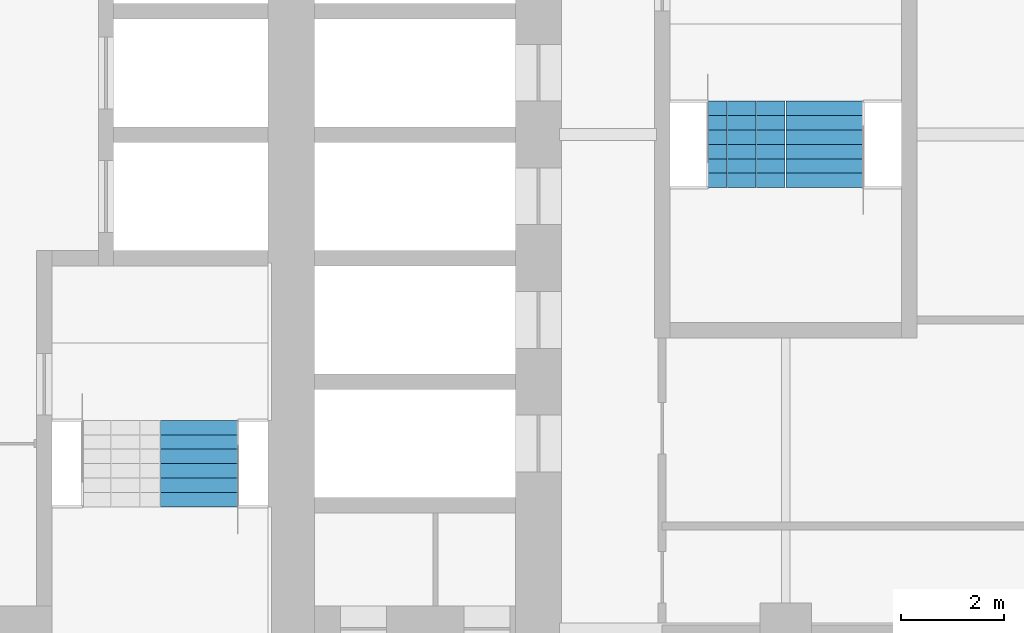
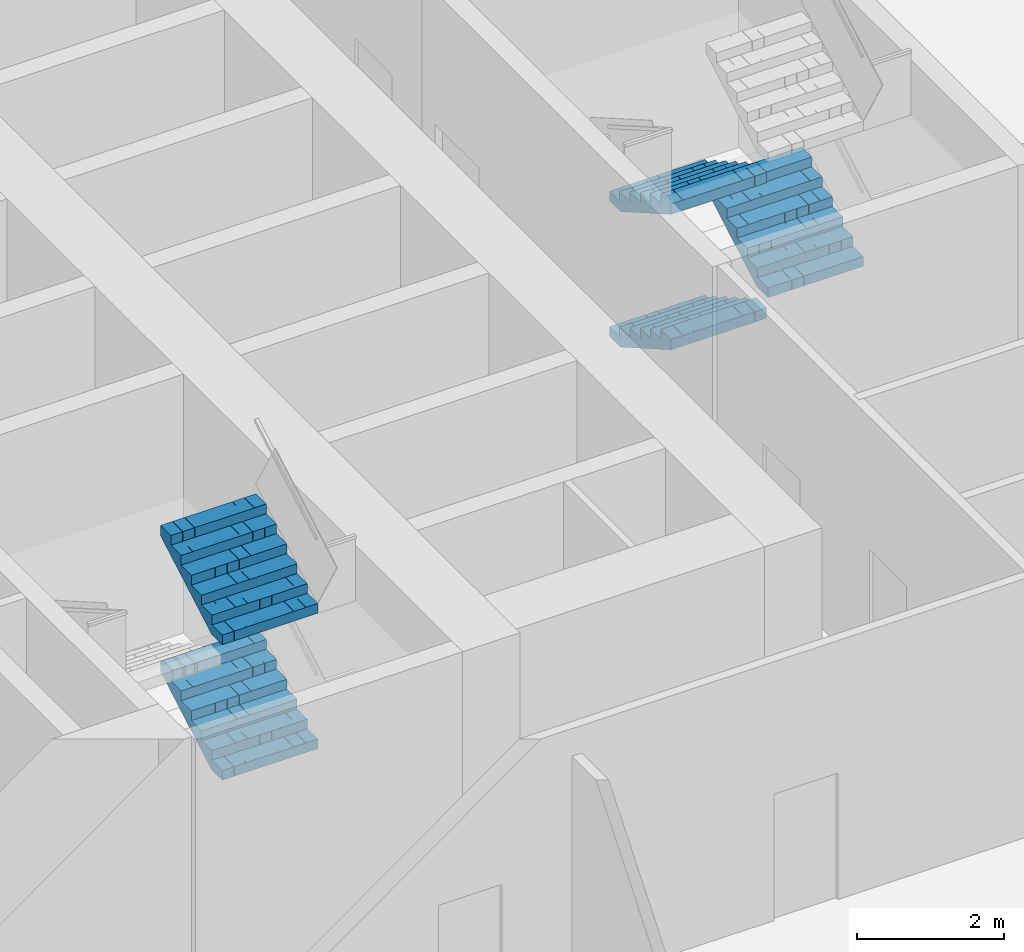
# One storey, part 19 of 22: 5 stair flights, 2 elements without a shape of their own.
"""IFC4 building model written with IfcOpenShell, lengths in metres."""

from ifc_helpers import new_model, si_unit, direction, frame, origin, place, context, subcontext, project, spatial, polyline, outline, extrude, material, type_object, element, aggregate, save


model = new_model("IFC4")

# Units and contexts
model_context = context("Model", 3, precision=1e-05, world=origin(), true_north=direction((0.0, 1.0)))
body_context = subcontext(model_context, "Body", "Model", "MODEL_VIEW")
ifc_project = project(units=[si_unit("LENGTHUNIT", "METRE"), si_unit("AREAUNIT", "SQUARE_METRE"), si_unit("VOLUMEUNIT", "CUBIC_METRE"), si_unit("PLANEANGLEUNIT", "RADIAN"), si_unit("MASSUNIT", "GRAM", prefix="KILO")], contexts=[model_context])

# Site, building, storey
site_placement = place(None, origin())
site = spatial("IfcSite", under=ifc_project, at=site_placement, CompositionType="ELEMENT")
building_placement = place(site_placement, origin())
building = spatial("IfcBuilding", under=site, at=building_placement, Name="Kolab Exchange Tower", CompositionType="ELEMENT")
storey_placement = place(building_placement, frame((0.0, 0.0, 113.89990234375)))
storey = spatial("IfcBuildingStorey", under=building, at=storey_placement, Name="L22", CompositionType="ELEMENT", Elevation=113.89990234375)

# Stair, stair flights
ifc_material = material(Name="Concrete C50/60", Category="concrete")
stair_type_1 = type_object("IfcStairType", Name="STAIR ST2 RISER 160.7", PredefinedType="DOUBLE_RETURN_STAIR", material=ifc_material)
stair_1_placement = place(storey_placement, origin())
stair_1 = element("IfcStair", 1, at=stair_1_placement, inside=storey, type_object=stair_type_1, Name="Stair 2", PredefinedType="DOUBLE_RETURN_STAIR")
stair_flight_type = type_object("IfcStairFlightType", Name="STAIR FLIGHT 1500 RISER 160.7", PredefinedType="STRAIGHT", material=ifc_material)
stair_flight_1_placement = place(storey_placement, frame((7.81005859375, -7.22998046875, 1.125), z_axis=(0.0, 0.0, 1.0), x_axis=(0.0, 1.0, 0.0)))
stair_flight_1 = element("IfcStairFlight", 2, at=stair_flight_1_placement, type_object=stair_flight_type, Name="ST2 flight 2", NumberOfRisers=7, NumberOfTreads=6, PredefinedType="STRAIGHT", RiserHeight=0.160714286, TreadLength=0.28, context=body_context, shape_type="SweptSolid", body=[
    extrude(outline(polyline([(0.0, 0.0), (0.0, 0.16064453125), (0.280029296875, 0.16064453125), (0.280029296875, 0.321533203125), (0.56005859375, 0.321533203125), (0.56005859375, 0.482177734375), (0.840087890625, 0.482177734375), (0.840087890625, 0.642822265625), (1.1201171875, 0.642822265625), (1.1201171875, 0.803466796875), (1.39990234375, 0.803466796875), (1.39990234375, 0.96435546875), (1.679931640625, 0.96435546875), (1.679931640625, 1.125), (1.679931640625, 0.79150390625), (0.301025390625, 0.0), (0.0, 0.0)])), frame((0.0, 0.75, 0.0), z_axis=(0.0, -1.0, 0.0), x_axis=(1.0, 0.0, 0.0)), (0.0, 0.0, 1.0), 0.185791015625),
    extrude(outline(polyline([(0.0, 0.0), (0.0, 0.16064453125), (0.280029296875, 0.16064453125), (0.280029296875, 0.321533203125), (0.56005859375, 0.321533203125), (0.56005859375, 0.482177734375), (0.840087890625, 0.482177734375), (0.840087890625, 0.642822265625), (1.1201171875, 0.642822265625), (1.1201171875, 0.803466796875), (1.39990234375, 0.803466796875), (1.39990234375, 0.96435546875), (1.679931640625, 0.96435546875), (1.679931640625, 1.125), (1.679931640625, 0.79150390625), (0.301025390625, 0.0), (0.0, 0.0)])), frame((0.0, 0.562255859375, 0.0), z_axis=(0.0, -1.0, 0.0), x_axis=(1.0, 0.0, 0.0)), (0.0, 0.0, 1.0), 0.185791015625),
    extrude(outline(polyline([(0.0, 0.0), (0.0, 0.16064453125), (0.280029296875, 0.16064453125), (0.280029296875, 0.321533203125), (0.56005859375, 0.321533203125), (0.56005859375, 0.482177734375), (0.840087890625, 0.482177734375), (0.840087890625, 0.642822265625), (1.1201171875, 0.642822265625), (1.1201171875, 0.803466796875), (1.39990234375, 0.803466796875), (1.39990234375, 0.96435546875), (1.679931640625, 0.96435546875), (1.679931640625, 1.125), (1.679931640625, 0.79150390625), (0.301025390625, 0.0), (0.0, 0.0)])), frame((0.0, 0.37451171875, 0.0), z_axis=(0.0, -1.0, 0.0), x_axis=(1.0, 0.0, 0.0)), (0.0, 0.0, 1.0), 0.185791015625),
    extrude(outline(polyline([(0.0, 0.0), (0.0, 0.16064453125), (0.280029296875, 0.16064453125), (0.280029296875, 0.321533203125), (0.56005859375, 0.321533203125), (0.56005859375, 0.482177734375), (0.840087890625, 0.482177734375), (0.840087890625, 0.642822265625), (1.1201171875, 0.642822265625), (1.1201171875, 0.803466796875), (1.39990234375, 0.803466796875), (1.39990234375, 0.96435546875), (1.679931640625, 0.96435546875), (1.679931640625, 1.125), (1.679931640625, 0.79150390625), (0.301025390625, 0.0), (0.0, 0.0)])), frame((0.0, 0.186767578125, 0.0), z_axis=(0.0, -1.0, 0.0), x_axis=(1.0, 0.0, 0.0)), (0.0, 0.0, 1.0), 0.185791015625),
    extrude(outline(polyline([(0.0, 0.0), (0.0, 0.16064453125), (0.280029296875, 0.16064453125), (0.280029296875, 0.321533203125), (0.56005859375, 0.321533203125), (0.56005859375, 0.482177734375), (0.840087890625, 0.482177734375), (0.840087890625, 0.642822265625), (1.1201171875, 0.642822265625), (1.1201171875, 0.803466796875), (1.39990234375, 0.803466796875), (1.39990234375, 0.96435546875), (1.679931640625, 0.96435546875), (1.679931640625, 1.125), (1.679931640625, 0.79150390625), (0.301025390625, 0.0), (0.0, 0.0)])), frame((0.0, -0.0009765625, 0.0), z_axis=(0.0, -1.0, 0.0), x_axis=(1.0, 0.0, 0.0)), (0.0, 0.0, 1.0), 0.185791015625),
    extrude(outline(polyline([(0.0, 0.0), (0.0, 0.16064453125), (0.280029296875, 0.16064453125), (0.280029296875, 0.321533203125), (0.56005859375, 0.321533203125), (0.56005859375, 0.482177734375), (0.840087890625, 0.482177734375), (0.840087890625, 0.642822265625), (1.1201171875, 0.642822265625), (1.1201171875, 0.803466796875), (1.39990234375, 0.803466796875), (1.39990234375, 0.96435546875), (1.679931640625, 0.96435546875), (1.679931640625, 1.125), (1.679931640625, 0.79150390625), (0.301025390625, 0.0), (0.0, 0.0)])), frame((0.0, -0.188720703125, 0.0), z_axis=(0.0, -1.0, 0.0), x_axis=(1.0, 0.0, 0.0)), (0.0, 0.0, 1.0), 0.185791015625),
    extrude(outline(polyline([(0.0, 0.0), (0.0, 0.16064453125), (0.280029296875, 0.16064453125), (0.280029296875, 0.321533203125), (0.56005859375, 0.321533203125), (0.56005859375, 0.482177734375), (0.840087890625, 0.482177734375), (0.840087890625, 0.642822265625), (1.1201171875, 0.642822265625), (1.1201171875, 0.803466796875), (1.39990234375, 0.803466796875), (1.39990234375, 0.96435546875), (1.679931640625, 0.96435546875), (1.679931640625, 1.125), (1.679931640625, 0.79150390625), (0.301025390625, 0.0), (0.0, 0.0)])), frame((0.0, -0.37646484375, 0.0), z_axis=(0.0, -1.0, 0.0), x_axis=(1.0, 0.0, 0.0)), (0.0, 0.0, 1.0), 0.185791015625),
    extrude(outline(polyline([(0.0, 0.0), (0.0, 0.16064453125), (0.280029296875, 0.16064453125), (0.280029296875, 0.321533203125), (0.56005859375, 0.321533203125), (0.56005859375, 0.482177734375), (0.840087890625, 0.482177734375), (0.840087890625, 0.642822265625), (1.1201171875, 0.642822265625), (1.1201171875, 0.803466796875), (1.39990234375, 0.803466796875), (1.39990234375, 0.96435546875), (1.679931640625, 0.96435546875), (1.679931640625, 1.125), (1.679931640625, 0.79150390625), (0.301025390625, 0.0), (0.0, 0.0)])), frame((0.0, -0.564208984375, 0.0), z_axis=(0.0, -1.0, 0.0), x_axis=(1.0, 0.0, 0.0)), (0.0, 0.0, 1.0), 0.185791015625),
])
stair_flight_2_placement = place(storey_placement, frame((7.81005859375, -7.22998046875, 3.375), z_axis=(0.0, 0.0, 1.0), x_axis=(0.0, 1.0, 0.0)))
stair_flight_2 = element("IfcStairFlight", 3, at=stair_flight_2_placement, type_object=stair_flight_type, Name="ST2 flight 4", NumberOfRisers=7, NumberOfTreads=6, PredefinedType="STRAIGHT", RiserHeight=0.160714286, TreadLength=0.28, context=body_context, shape_type="SweptSolid", body=[
    extrude(outline(polyline([(0.0, 0.0), (0.0, 0.16064453125), (0.280029296875, 0.16064453125), (0.280029296875, 0.321533203125), (0.56005859375, 0.321533203125), (0.56005859375, 0.482177734375), (0.840087890625, 0.482177734375), (0.840087890625, 0.642822265625), (1.1201171875, 0.642822265625), (1.1201171875, 0.803466796875), (1.39990234375, 0.803466796875), (1.39990234375, 0.96435546875), (1.679931640625, 0.96435546875), (1.679931640625, 1.125), (1.679931640625, 0.79150390625), (0.301025390625, 0.0), (0.0, 0.0)])), frame((0.0, 0.75, 0.0), z_axis=(0.0, -1.0, 0.0), x_axis=(1.0, 0.0, 0.0)), (0.0, 0.0, 1.0), 0.185791015625),
    extrude(outline(polyline([(0.0, 0.0), (0.0, 0.16064453125), (0.280029296875, 0.16064453125), (0.280029296875, 0.321533203125), (0.56005859375, 0.321533203125), (0.56005859375, 0.482177734375), (0.840087890625, 0.482177734375), (0.840087890625, 0.642822265625), (1.1201171875, 0.642822265625), (1.1201171875, 0.803466796875), (1.39990234375, 0.803466796875), (1.39990234375, 0.96435546875), (1.679931640625, 0.96435546875), (1.679931640625, 1.125), (1.679931640625, 0.79150390625), (0.301025390625, 0.0), (0.0, 0.0)])), frame((0.0, 0.562255859375, 0.0), z_axis=(0.0, -1.0, 0.0), x_axis=(1.0, 0.0, 0.0)), (0.0, 0.0, 1.0), 0.185791015625),
    extrude(outline(polyline([(0.0, 0.0), (0.0, 0.16064453125), (0.280029296875, 0.16064453125), (0.280029296875, 0.321533203125), (0.56005859375, 0.321533203125), (0.56005859375, 0.482177734375), (0.840087890625, 0.482177734375), (0.840087890625, 0.642822265625), (1.1201171875, 0.642822265625), (1.1201171875, 0.803466796875), (1.39990234375, 0.803466796875), (1.39990234375, 0.96435546875), (1.679931640625, 0.96435546875), (1.679931640625, 1.125), (1.679931640625, 0.79150390625), (0.301025390625, 0.0), (0.0, 0.0)])), frame((0.0, 0.37451171875, 0.0), z_axis=(0.0, -1.0, 0.0), x_axis=(1.0, 0.0, 0.0)), (0.0, 0.0, 1.0), 0.185791015625),
    extrude(outline(polyline([(0.0, 0.0), (0.0, 0.16064453125), (0.280029296875, 0.16064453125), (0.280029296875, 0.321533203125), (0.56005859375, 0.321533203125), (0.56005859375, 0.482177734375), (0.840087890625, 0.482177734375), (0.840087890625, 0.642822265625), (1.1201171875, 0.642822265625), (1.1201171875, 0.803466796875), (1.39990234375, 0.803466796875), (1.39990234375, 0.96435546875), (1.679931640625, 0.96435546875), (1.679931640625, 1.125), (1.679931640625, 0.79150390625), (0.301025390625, 0.0), (0.0, 0.0)])), frame((0.0, 0.186767578125, 0.0), z_axis=(0.0, -1.0, 0.0), x_axis=(1.0, 0.0, 0.0)), (0.0, 0.0, 1.0), 0.185791015625),
    extrude(outline(polyline([(0.0, 0.0), (0.0, 0.16064453125), (0.280029296875, 0.16064453125), (0.280029296875, 0.321533203125), (0.56005859375, 0.321533203125), (0.56005859375, 0.482177734375), (0.840087890625, 0.482177734375), (0.840087890625, 0.642822265625), (1.1201171875, 0.642822265625), (1.1201171875, 0.803466796875), (1.39990234375, 0.803466796875), (1.39990234375, 0.96435546875), (1.679931640625, 0.96435546875), (1.679931640625, 1.125), (1.679931640625, 0.79150390625), (0.301025390625, 0.0), (0.0, 0.0)])), frame((0.0, -0.0009765625, 0.0), z_axis=(0.0, -1.0, 0.0), x_axis=(1.0, 0.0, 0.0)), (0.0, 0.0, 1.0), 0.185791015625),
    extrude(outline(polyline([(0.0, 0.0), (0.0, 0.16064453125), (0.280029296875, 0.16064453125), (0.280029296875, 0.321533203125), (0.56005859375, 0.321533203125), (0.56005859375, 0.482177734375), (0.840087890625, 0.482177734375), (0.840087890625, 0.642822265625), (1.1201171875, 0.642822265625), (1.1201171875, 0.803466796875), (1.39990234375, 0.803466796875), (1.39990234375, 0.96435546875), (1.679931640625, 0.96435546875), (1.679931640625, 1.125), (1.679931640625, 0.79150390625), (0.301025390625, 0.0), (0.0, 0.0)])), frame((0.0, -0.188720703125, 0.0), z_axis=(0.0, -1.0, 0.0), x_axis=(1.0, 0.0, 0.0)), (0.0, 0.0, 1.0), 0.185791015625),
    extrude(outline(polyline([(0.0, 0.0), (0.0, 0.16064453125), (0.280029296875, 0.16064453125), (0.280029296875, 0.321533203125), (0.56005859375, 0.321533203125), (0.56005859375, 0.482177734375), (0.840087890625, 0.482177734375), (0.840087890625, 0.642822265625), (1.1201171875, 0.642822265625), (1.1201171875, 0.803466796875), (1.39990234375, 0.803466796875), (1.39990234375, 0.96435546875), (1.679931640625, 0.96435546875), (1.679931640625, 1.125), (1.679931640625, 0.79150390625), (0.301025390625, 0.0), (0.0, 0.0)])), frame((0.0, -0.37646484375, 0.0), z_axis=(0.0, -1.0, 0.0), x_axis=(1.0, 0.0, 0.0)), (0.0, 0.0, 1.0), 0.185791015625),
    extrude(outline(polyline([(0.0, 0.0), (0.0, 0.16064453125), (0.280029296875, 0.16064453125), (0.280029296875, 0.321533203125), (0.56005859375, 0.321533203125), (0.56005859375, 0.482177734375), (0.840087890625, 0.482177734375), (0.840087890625, 0.642822265625), (1.1201171875, 0.642822265625), (1.1201171875, 0.803466796875), (1.39990234375, 0.803466796875), (1.39990234375, 0.96435546875), (1.679931640625, 0.96435546875), (1.679931640625, 1.125), (1.679931640625, 0.79150390625), (0.301025390625, 0.0), (0.0, 0.0)])), frame((0.0, -0.564208984375, 0.0), z_axis=(0.0, -1.0, 0.0), x_axis=(1.0, 0.0, 0.0)), (0.0, 0.0, 1.0), 0.185791015625),
])
aggregate(stair_1, [stair_flight_1, stair_flight_2])

stair_type_2 = type_object("IfcStairType", Name="STAIR ST4 RISER 160.7", PredefinedType="DOUBLE_RETURN_STAIR", material=ifc_material)
stair_2_placement = place(storey_placement, origin())
stair_2 = element("IfcStair", 4, at=stair_2_placement, inside=storey, type_object=stair_type_2, Name="Stair 4", PredefinedType="DOUBLE_RETURN_STAIR")
stair_flight_3_placement = place(storey_placement, frame((18.43994140625, 0.64990234375, 0.0), z_axis=(0.0, 0.0, 1.0), x_axis=(0.0, -1.0, 0.0)))
stair_flight_3 = element("IfcStairFlight", 5, at=stair_flight_3_placement, type_object=stair_flight_type, Name="ST4 flight 1", NumberOfRisers=7, NumberOfTreads=6, PredefinedType="STRAIGHT", RiserHeight=0.160714286, TreadLength=0.28, context=body_context, shape_type="SweptSolid", body=[
    extrude(outline(polyline([(0.0, 0.0), (0.0, 0.16064453125), (0.280029296875, 0.16064453125), (0.280029296875, 0.321533203125), (0.56005859375, 0.321533203125), (0.56005859375, 0.482177734375), (0.840087890625, 0.482177734375), (0.840087890625, 0.642822265625), (1.1201171875, 0.642822265625), (1.1201171875, 0.803466796875), (1.39990234375, 0.803466796875), (1.39990234375, 0.96435546875), (1.679931640625, 0.96435546875), (1.679931640625, 1.125), (1.679931640625, 0.79150390625), (0.301025390625, 0.0), (0.0, 0.0)])), frame((0.0, 0.75, 0.0), z_axis=(0.0, -1.0, 0.0), x_axis=(1.0, 0.0, 0.0)), (0.0, 0.0, 1.0), 0.185791015625),
    extrude(outline(polyline([(0.0, 0.0), (0.0, 0.16064453125), (0.280029296875, 0.16064453125), (0.280029296875, 0.321533203125), (0.56005859375, 0.321533203125), (0.56005859375, 0.482177734375), (0.840087890625, 0.482177734375), (0.840087890625, 0.642822265625), (1.1201171875, 0.642822265625), (1.1201171875, 0.803466796875), (1.39990234375, 0.803466796875), (1.39990234375, 0.96435546875), (1.679931640625, 0.96435546875), (1.679931640625, 1.125), (1.679931640625, 0.79150390625), (0.301025390625, 0.0), (0.0, 0.0)])), frame((0.0, 0.562255859375, 0.0), z_axis=(0.0, -1.0, 0.0), x_axis=(1.0, 0.0, 0.0)), (0.0, 0.0, 1.0), 0.185791015625),
    extrude(outline(polyline([(0.0, 0.0), (0.0, 0.16064453125), (0.280029296875, 0.16064453125), (0.280029296875, 0.321533203125), (0.56005859375, 0.321533203125), (0.56005859375, 0.482177734375), (0.840087890625, 0.482177734375), (0.840087890625, 0.642822265625), (1.1201171875, 0.642822265625), (1.1201171875, 0.803466796875), (1.39990234375, 0.803466796875), (1.39990234375, 0.96435546875), (1.679931640625, 0.96435546875), (1.679931640625, 1.125), (1.679931640625, 0.79150390625), (0.301025390625, 0.0), (0.0, 0.0)])), frame((0.0, 0.37451171875, 0.0), z_axis=(0.0, -1.0, 0.0), x_axis=(1.0, 0.0, 0.0)), (0.0, 0.0, 1.0), 0.185791015625),
    extrude(outline(polyline([(0.0, 0.0), (0.0, 0.16064453125), (0.280029296875, 0.16064453125), (0.280029296875, 0.321533203125), (0.56005859375, 0.321533203125), (0.56005859375, 0.482177734375), (0.840087890625, 0.482177734375), (0.840087890625, 0.642822265625), (1.1201171875, 0.642822265625), (1.1201171875, 0.803466796875), (1.39990234375, 0.803466796875), (1.39990234375, 0.96435546875), (1.679931640625, 0.96435546875), (1.679931640625, 1.125), (1.679931640625, 0.79150390625), (0.301025390625, 0.0), (0.0, 0.0)])), frame((0.0, 0.186767578125, 0.0), z_axis=(0.0, -1.0, 0.0), x_axis=(1.0, 0.0, 0.0)), (0.0, 0.0, 1.0), 0.185791015625),
    extrude(outline(polyline([(0.0, 0.0), (0.0, 0.16064453125), (0.280029296875, 0.16064453125), (0.280029296875, 0.321533203125), (0.56005859375, 0.321533203125), (0.56005859375, 0.482177734375), (0.840087890625, 0.482177734375), (0.840087890625, 0.642822265625), (1.1201171875, 0.642822265625), (1.1201171875, 0.803466796875), (1.39990234375, 0.803466796875), (1.39990234375, 0.96435546875), (1.679931640625, 0.96435546875), (1.679931640625, 1.125), (1.679931640625, 0.79150390625), (0.301025390625, 0.0), (0.0, 0.0)])), frame((0.0, -0.0009765625, 0.0), z_axis=(0.0, -1.0, 0.0), x_axis=(1.0, 0.0, 0.0)), (0.0, 0.0, 1.0), 0.185791015625),
    extrude(outline(polyline([(0.0, 0.0), (0.0, 0.16064453125), (0.280029296875, 0.16064453125), (0.280029296875, 0.321533203125), (0.56005859375, 0.321533203125), (0.56005859375, 0.482177734375), (0.840087890625, 0.482177734375), (0.840087890625, 0.642822265625), (1.1201171875, 0.642822265625), (1.1201171875, 0.803466796875), (1.39990234375, 0.803466796875), (1.39990234375, 0.96435546875), (1.679931640625, 0.96435546875), (1.679931640625, 1.125), (1.679931640625, 0.79150390625), (0.301025390625, 0.0), (0.0, 0.0)])), frame((0.0, -0.188720703125, 0.0), z_axis=(0.0, -1.0, 0.0), x_axis=(1.0, 0.0, 0.0)), (0.0, 0.0, 1.0), 0.185791015625),
    extrude(outline(polyline([(0.0, 0.0), (0.0, 0.16064453125), (0.280029296875, 0.16064453125), (0.280029296875, 0.321533203125), (0.56005859375, 0.321533203125), (0.56005859375, 0.482177734375), (0.840087890625, 0.482177734375), (0.840087890625, 0.642822265625), (1.1201171875, 0.642822265625), (1.1201171875, 0.803466796875), (1.39990234375, 0.803466796875), (1.39990234375, 0.96435546875), (1.679931640625, 0.96435546875), (1.679931640625, 1.125), (1.679931640625, 0.79150390625), (0.301025390625, 0.0), (0.0, 0.0)])), frame((0.0, -0.37646484375, 0.0), z_axis=(0.0, -1.0, 0.0), x_axis=(1.0, 0.0, 0.0)), (0.0, 0.0, 1.0), 0.185791015625),
    extrude(outline(polyline([(0.0, 0.0), (0.0, 0.16064453125), (0.280029296875, 0.16064453125), (0.280029296875, 0.321533203125), (0.56005859375, 0.321533203125), (0.56005859375, 0.482177734375), (0.840087890625, 0.482177734375), (0.840087890625, 0.642822265625), (1.1201171875, 0.642822265625), (1.1201171875, 0.803466796875), (1.39990234375, 0.803466796875), (1.39990234375, 0.96435546875), (1.679931640625, 0.96435546875), (1.679931640625, 1.125), (1.679931640625, 0.79150390625), (0.301025390625, 0.0), (0.0, 0.0)])), frame((0.0, -0.564208984375, 0.0), z_axis=(0.0, -1.0, 0.0), x_axis=(1.0, 0.0, 0.0)), (0.0, 0.0, 1.0), 0.185791015625),
])
stair_flight_4_placement = place(storey_placement, frame((19.9599609375, -1.030029296875, 1.125), z_axis=(0.0, 0.0, 1.0), x_axis=(0.0, 1.0, 0.0)))
stair_flight_4 = element("IfcStairFlight", 6, at=stair_flight_4_placement, type_object=stair_flight_type, Name="ST4 flight 2", NumberOfRisers=7, NumberOfTreads=6, PredefinedType="STRAIGHT", RiserHeight=0.160714286, TreadLength=0.28, context=body_context, shape_type="SweptSolid", body=[
    extrude(outline(polyline([(0.0, 0.0), (0.0, 0.16064453125), (0.280029296875, 0.16064453125), (0.280029296875, 0.321533203125), (0.56005859375, 0.321533203125), (0.56005859375, 0.482177734375), (0.840087890625, 0.482177734375), (0.840087890625, 0.642822265625), (1.1201171875, 0.642822265625), (1.1201171875, 0.803466796875), (1.39990234375, 0.803466796875), (1.39990234375, 0.96435546875), (1.679931640625, 0.96435546875), (1.679931640625, 1.125), (1.679931640625, 0.79150390625), (0.301025390625, 0.0), (0.0, 0.0)])), frame((0.0, 0.75, 0.0), z_axis=(0.0, -1.0, 0.0), x_axis=(1.0, 0.0, 0.0)), (0.0, 0.0, 1.0), 0.185791015625),
    extrude(outline(polyline([(0.0, 0.0), (0.0, 0.16064453125), (0.280029296875, 0.16064453125), (0.280029296875, 0.321533203125), (0.56005859375, 0.321533203125), (0.56005859375, 0.482177734375), (0.840087890625, 0.482177734375), (0.840087890625, 0.642822265625), (1.1201171875, 0.642822265625), (1.1201171875, 0.803466796875), (1.39990234375, 0.803466796875), (1.39990234375, 0.96435546875), (1.679931640625, 0.96435546875), (1.679931640625, 1.125), (1.679931640625, 0.79150390625), (0.301025390625, 0.0), (0.0, 0.0)])), frame((0.0, 0.562255859375, 0.0), z_axis=(0.0, -1.0, 0.0), x_axis=(1.0, 0.0, 0.0)), (0.0, 0.0, 1.0), 0.185791015625),
    extrude(outline(polyline([(0.0, 0.0), (0.0, 0.16064453125), (0.280029296875, 0.16064453125), (0.280029296875, 0.321533203125), (0.56005859375, 0.321533203125), (0.56005859375, 0.482177734375), (0.840087890625, 0.482177734375), (0.840087890625, 0.642822265625), (1.1201171875, 0.642822265625), (1.1201171875, 0.803466796875), (1.39990234375, 0.803466796875), (1.39990234375, 0.96435546875), (1.679931640625, 0.96435546875), (1.679931640625, 1.125), (1.679931640625, 0.79150390625), (0.301025390625, 0.0), (0.0, 0.0)])), frame((0.0, 0.37451171875, 0.0), z_axis=(0.0, -1.0, 0.0), x_axis=(1.0, 0.0, 0.0)), (0.0, 0.0, 1.0), 0.185791015625),
    extrude(outline(polyline([(0.0, 0.0), (0.0, 0.16064453125), (0.280029296875, 0.16064453125), (0.280029296875, 0.321533203125), (0.56005859375, 0.321533203125), (0.56005859375, 0.482177734375), (0.840087890625, 0.482177734375), (0.840087890625, 0.642822265625), (1.1201171875, 0.642822265625), (1.1201171875, 0.803466796875), (1.39990234375, 0.803466796875), (1.39990234375, 0.96435546875), (1.679931640625, 0.96435546875), (1.679931640625, 1.125), (1.679931640625, 0.79150390625), (0.301025390625, 0.0), (0.0, 0.0)])), frame((0.0, 0.186767578125, 0.0), z_axis=(0.0, -1.0, 0.0), x_axis=(1.0, 0.0, 0.0)), (0.0, 0.0, 1.0), 0.185791015625),
    extrude(outline(polyline([(0.0, 0.0), (0.0, 0.16064453125), (0.280029296875, 0.16064453125), (0.280029296875, 0.321533203125), (0.56005859375, 0.321533203125), (0.56005859375, 0.482177734375), (0.840087890625, 0.482177734375), (0.840087890625, 0.642822265625), (1.1201171875, 0.642822265625), (1.1201171875, 0.803466796875), (1.39990234375, 0.803466796875), (1.39990234375, 0.96435546875), (1.679931640625, 0.96435546875), (1.679931640625, 1.125), (1.679931640625, 0.79150390625), (0.301025390625, 0.0), (0.0, 0.0)])), frame((0.0, -0.0009765625, 0.0), z_axis=(0.0, -1.0, 0.0), x_axis=(1.0, 0.0, 0.0)), (0.0, 0.0, 1.0), 0.185791015625),
    extrude(outline(polyline([(0.0, 0.0), (0.0, 0.16064453125), (0.280029296875, 0.16064453125), (0.280029296875, 0.321533203125), (0.56005859375, 0.321533203125), (0.56005859375, 0.482177734375), (0.840087890625, 0.482177734375), (0.840087890625, 0.642822265625), (1.1201171875, 0.642822265625), (1.1201171875, 0.803466796875), (1.39990234375, 0.803466796875), (1.39990234375, 0.96435546875), (1.679931640625, 0.96435546875), (1.679931640625, 1.125), (1.679931640625, 0.79150390625), (0.301025390625, 0.0), (0.0, 0.0)])), frame((0.0, -0.188720703125, 0.0), z_axis=(0.0, -1.0, 0.0), x_axis=(1.0, 0.0, 0.0)), (0.0, 0.0, 1.0), 0.185791015625),
    extrude(outline(polyline([(0.0, 0.0), (0.0, 0.16064453125), (0.280029296875, 0.16064453125), (0.280029296875, 0.321533203125), (0.56005859375, 0.321533203125), (0.56005859375, 0.482177734375), (0.840087890625, 0.482177734375), (0.840087890625, 0.642822265625), (1.1201171875, 0.642822265625), (1.1201171875, 0.803466796875), (1.39990234375, 0.803466796875), (1.39990234375, 0.96435546875), (1.679931640625, 0.96435546875), (1.679931640625, 1.125), (1.679931640625, 0.79150390625), (0.301025390625, 0.0), (0.0, 0.0)])), frame((0.0, -0.37646484375, 0.0), z_axis=(0.0, -1.0, 0.0), x_axis=(1.0, 0.0, 0.0)), (0.0, 0.0, 1.0), 0.185791015625),
    extrude(outline(polyline([(0.0, 0.0), (0.0, 0.16064453125), (0.280029296875, 0.16064453125), (0.280029296875, 0.321533203125), (0.56005859375, 0.321533203125), (0.56005859375, 0.482177734375), (0.840087890625, 0.482177734375), (0.840087890625, 0.642822265625), (1.1201171875, 0.642822265625), (1.1201171875, 0.803466796875), (1.39990234375, 0.803466796875), (1.39990234375, 0.96435546875), (1.679931640625, 0.96435546875), (1.679931640625, 1.125), (1.679931640625, 0.79150390625), (0.301025390625, 0.0), (0.0, 0.0)])), frame((0.0, -0.564208984375, 0.0), z_axis=(0.0, -1.0, 0.0), x_axis=(1.0, 0.0, 0.0)), (0.0, 0.0, 1.0), 0.185791015625),
])
stair_flight_5_placement = place(storey_placement, frame((18.43994140625, 0.64990234375, 2.25), z_axis=(0.0, 0.0, 1.0), x_axis=(0.0, -1.0, 0.0)))
stair_flight_5 = element("IfcStairFlight", 7, at=stair_flight_5_placement, type_object=stair_flight_type, Name="ST4 flight 3", NumberOfRisers=7, NumberOfTreads=6, PredefinedType="STRAIGHT", RiserHeight=0.160714286, TreadLength=0.28, context=body_context, shape_type="SweptSolid", body=[
    extrude(outline(polyline([(0.0, 0.0), (0.0, 0.16064453125), (0.280029296875, 0.16064453125), (0.280029296875, 0.321533203125), (0.56005859375, 0.321533203125), (0.56005859375, 0.482177734375), (0.840087890625, 0.482177734375), (0.840087890625, 0.642822265625), (1.1201171875, 0.642822265625), (1.1201171875, 0.803466796875), (1.39990234375, 0.803466796875), (1.39990234375, 0.96435546875), (1.679931640625, 0.96435546875), (1.679931640625, 1.125), (1.679931640625, 0.79150390625), (0.301025390625, 0.0), (0.0, 0.0)])), frame((0.0, 0.75, 0.0), z_axis=(0.0, -1.0, 0.0), x_axis=(1.0, 0.0, 0.0)), (0.0, 0.0, 1.0), 0.185791015625),
    extrude(outline(polyline([(0.0, 0.0), (0.0, 0.16064453125), (0.280029296875, 0.16064453125), (0.280029296875, 0.321533203125), (0.56005859375, 0.321533203125), (0.56005859375, 0.482177734375), (0.840087890625, 0.482177734375), (0.840087890625, 0.642822265625), (1.1201171875, 0.642822265625), (1.1201171875, 0.803466796875), (1.39990234375, 0.803466796875), (1.39990234375, 0.96435546875), (1.679931640625, 0.96435546875), (1.679931640625, 1.125), (1.679931640625, 0.79150390625), (0.301025390625, 0.0), (0.0, 0.0)])), frame((0.0, 0.562255859375, 0.0), z_axis=(0.0, -1.0, 0.0), x_axis=(1.0, 0.0, 0.0)), (0.0, 0.0, 1.0), 0.185791015625),
    extrude(outline(polyline([(0.0, 0.0), (0.0, 0.16064453125), (0.280029296875, 0.16064453125), (0.280029296875, 0.321533203125), (0.56005859375, 0.321533203125), (0.56005859375, 0.482177734375), (0.840087890625, 0.482177734375), (0.840087890625, 0.642822265625), (1.1201171875, 0.642822265625), (1.1201171875, 0.803466796875), (1.39990234375, 0.803466796875), (1.39990234375, 0.96435546875), (1.679931640625, 0.96435546875), (1.679931640625, 1.125), (1.679931640625, 0.79150390625), (0.301025390625, 0.0), (0.0, 0.0)])), frame((0.0, 0.37451171875, 0.0), z_axis=(0.0, -1.0, 0.0), x_axis=(1.0, 0.0, 0.0)), (0.0, 0.0, 1.0), 0.185791015625),
    extrude(outline(polyline([(0.0, 0.0), (0.0, 0.16064453125), (0.280029296875, 0.16064453125), (0.280029296875, 0.321533203125), (0.56005859375, 0.321533203125), (0.56005859375, 0.482177734375), (0.840087890625, 0.482177734375), (0.840087890625, 0.642822265625), (1.1201171875, 0.642822265625), (1.1201171875, 0.803466796875), (1.39990234375, 0.803466796875), (1.39990234375, 0.96435546875), (1.679931640625, 0.96435546875), (1.679931640625, 1.125), (1.679931640625, 0.79150390625), (0.301025390625, 0.0), (0.0, 0.0)])), frame((0.0, 0.186767578125, 0.0), z_axis=(0.0, -1.0, 0.0), x_axis=(1.0, 0.0, 0.0)), (0.0, 0.0, 1.0), 0.185791015625),
    extrude(outline(polyline([(0.0, 0.0), (0.0, 0.16064453125), (0.280029296875, 0.16064453125), (0.280029296875, 0.321533203125), (0.56005859375, 0.321533203125), (0.56005859375, 0.482177734375), (0.840087890625, 0.482177734375), (0.840087890625, 0.642822265625), (1.1201171875, 0.642822265625), (1.1201171875, 0.803466796875), (1.39990234375, 0.803466796875), (1.39990234375, 0.96435546875), (1.679931640625, 0.96435546875), (1.679931640625, 1.125), (1.679931640625, 0.79150390625), (0.301025390625, 0.0), (0.0, 0.0)])), frame((0.0, -0.0009765625, 0.0), z_axis=(0.0, -1.0, 0.0), x_axis=(1.0, 0.0, 0.0)), (0.0, 0.0, 1.0), 0.185791015625),
    extrude(outline(polyline([(0.0, 0.0), (0.0, 0.16064453125), (0.280029296875, 0.16064453125), (0.280029296875, 0.321533203125), (0.56005859375, 0.321533203125), (0.56005859375, 0.482177734375), (0.840087890625, 0.482177734375), (0.840087890625, 0.642822265625), (1.1201171875, 0.642822265625), (1.1201171875, 0.803466796875), (1.39990234375, 0.803466796875), (1.39990234375, 0.96435546875), (1.679931640625, 0.96435546875), (1.679931640625, 1.125), (1.679931640625, 0.79150390625), (0.301025390625, 0.0), (0.0, 0.0)])), frame((0.0, -0.188720703125, 0.0), z_axis=(0.0, -1.0, 0.0), x_axis=(1.0, 0.0, 0.0)), (0.0, 0.0, 1.0), 0.185791015625),
    extrude(outline(polyline([(0.0, 0.0), (0.0, 0.16064453125), (0.280029296875, 0.16064453125), (0.280029296875, 0.321533203125), (0.56005859375, 0.321533203125), (0.56005859375, 0.482177734375), (0.840087890625, 0.482177734375), (0.840087890625, 0.642822265625), (1.1201171875, 0.642822265625), (1.1201171875, 0.803466796875), (1.39990234375, 0.803466796875), (1.39990234375, 0.96435546875), (1.679931640625, 0.96435546875), (1.679931640625, 1.125), (1.679931640625, 0.79150390625), (0.301025390625, 0.0), (0.0, 0.0)])), frame((0.0, -0.37646484375, 0.0), z_axis=(0.0, -1.0, 0.0), x_axis=(1.0, 0.0, 0.0)), (0.0, 0.0, 1.0), 0.185791015625),
    extrude(outline(polyline([(0.0, 0.0), (0.0, 0.16064453125), (0.280029296875, 0.16064453125), (0.280029296875, 0.321533203125), (0.56005859375, 0.321533203125), (0.56005859375, 0.482177734375), (0.840087890625, 0.482177734375), (0.840087890625, 0.642822265625), (1.1201171875, 0.642822265625), (1.1201171875, 0.803466796875), (1.39990234375, 0.803466796875), (1.39990234375, 0.96435546875), (1.679931640625, 0.96435546875), (1.679931640625, 1.125), (1.679931640625, 0.79150390625), (0.301025390625, 0.0), (0.0, 0.0)])), frame((0.0, -0.564208984375, 0.0), z_axis=(0.0, -1.0, 0.0), x_axis=(1.0, 0.0, 0.0)), (0.0, 0.0, 1.0), 0.185791015625),
])
aggregate(stair_2, [stair_flight_3, stair_flight_4, stair_flight_5])

save(model, "model.ifc")
